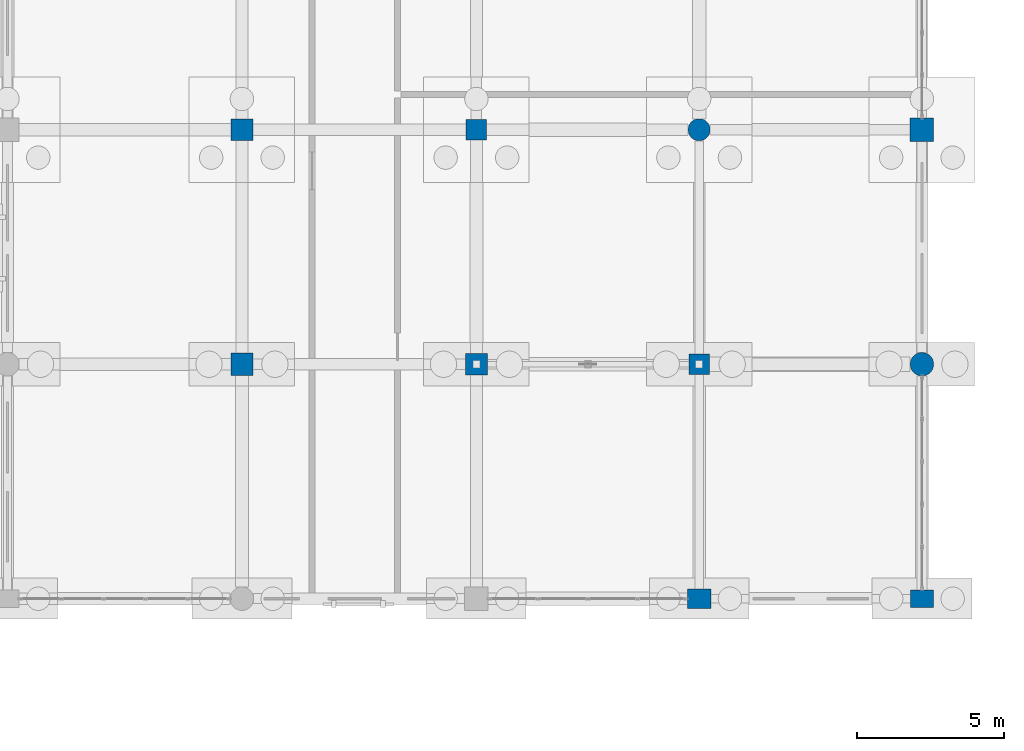
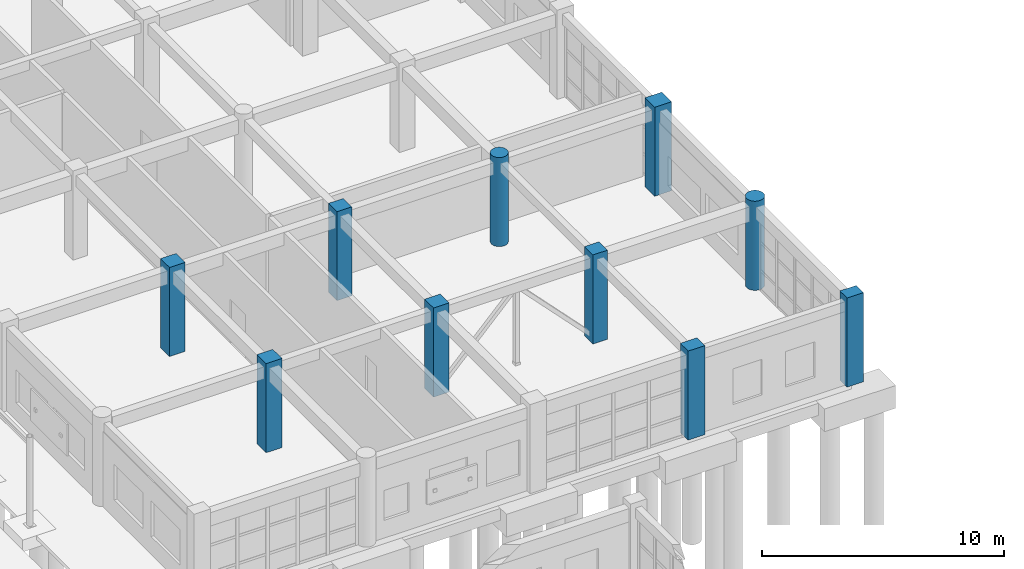
# One storey, part 43 of 166: 10 columns.
"""IFC4 building model written with IfcOpenShell, lengths in metres."""

from ifc_helpers import new_model, si_unit, direction, frame, origin, origin_2d, place, context, subcontext, project, spatial, rectangle, circle, extrude, material, material_profile, profile_set, type_object, element, save


model = new_model("IFC4")

# Units and contexts
model_context = context("Model", 3, precision=1e-05, world=origin(), true_north=direction((0.0, 1.0)))
body_context = subcontext(model_context, "Body", "Model", "MODEL_VIEW")
ifc_project = project(units=[si_unit("LENGTHUNIT", "METRE"), si_unit("AREAUNIT", "SQUARE_METRE"), si_unit("VOLUMEUNIT", "CUBIC_METRE"), si_unit("PLANEANGLEUNIT", "RADIAN"), si_unit("MASSUNIT", "GRAM", prefix="KILO")], contexts=[model_context])

# Site, building, storey
site_placement = place(None, origin())
site = spatial("IfcSite", under=ifc_project, at=site_placement, CompositionType="ELEMENT")
building_placement = place(site_placement, origin())
building = spatial("IfcBuilding", under=site, at=building_placement, Name="Kharva Crest Polytechnic", CompositionType="ELEMENT")
storey_placement = place(building_placement, origin())
storey = spatial("IfcBuildingStorey", under=building, at=storey_placement, Name="L00", CompositionType="ELEMENT", Elevation=0.0)

# Columns
ifc_material = material(Name="Concrete C40/50", Category="concrete")
ifc_material_profile_1 = material_profile(ifc_material, rectangle(XDim=0.780029296875, YDim=0.60009765625, at=origin_2d()), Name="RECT 780 X 600")
ifc_profile_set_1 = profile_set([ifc_material_profile_1], Name="Concrete C40/50")
column_type_1 = type_object("IfcColumnType", Name="COL-EXT-780X600", PredefinedType="COLUMN", material=ifc_profile_set_1)
column_1_placement = place(storey_placement, frame((184.0, 38.800048828125, 0.0), z_axis=(0.0, 0.0, 1.0), x_axis=(1.0, 0.0, 0.0)))
element("IfcColumn", 1, at=column_1_placement, inside=storey, type_object=column_type_1, Name="L00 Column 24/FJ", PredefinedType="COLUMN", context=body_context, shape_type="SweptSolid", body=[
    extrude(rectangle(XDim=0.780029296875, YDim=0.60009765625, at=origin_2d()), origin(), (0.0, 0.0, 1.0), 4.5),
])
ifc_material_profile_2 = material_profile(ifc_material, rectangle(XDim=0.800048828125, YDim=0.64990234375, at=origin_2d()), Name="RECT 800 X 650")
ifc_profile_set_2 = profile_set([ifc_material_profile_2], Name="Concrete C40/50")
column_type_2 = type_object("IfcColumnType", Name="COL-EXT-800X650", PredefinedType="COLUMN", material=ifc_profile_set_2)
column_2_placement = place(storey_placement, frame((176.39990234375, 38.800048828125, 0.0), z_axis=(0.0, 0.0, 1.0), x_axis=(1.0, 0.0, 0.0)))
element("IfcColumn", 2, at=column_2_placement, inside=storey, type_object=column_type_2, Name="L00 Column 23/FJ", PredefinedType="COLUMN", context=body_context, shape_type="SweptSolid", body=[
    extrude(rectangle(XDim=0.800048828125, YDim=0.64990234375, at=origin_2d()), origin(), (0.0, 0.0, 1.0), 4.5),
])
ifc_material_profile_3 = material_profile(ifc_material, rectangle(XDim=0.800048828125, YDim=0.800048828125, at=origin_2d()), Name="RECT 800 X 800")
ifc_profile_set_3 = profile_set([ifc_material_profile_3], Name="Concrete C40/50")
column_type_3 = type_object("IfcColumnType", Name="COL-EXT-800X800", PredefinedType="COLUMN", material=ifc_profile_set_3)
column_3_placement = place(storey_placement, frame((184.0, 54.800048828125, 0.0), z_axis=(0.0, 0.0, 1.0), x_axis=(1.0, 0.0, 0.0)))
element("IfcColumn", 3, at=column_3_placement, inside=storey, type_object=column_type_3, Name="L00 Column 24/H", PredefinedType="COLUMN", context=body_context, shape_type="SweptSolid", body=[
    extrude(rectangle(XDim=0.800048828125, YDim=0.800048828125, at=origin_2d()), origin(), (0.0, 0.0, 1.0), 4.5),
])
ifc_material_profile_4 = material_profile(ifc_material, circle(Radius=0.39990234375, at=origin_2d()), Name="DIA 800")
ifc_profile_set_4 = profile_set([ifc_material_profile_4], Name="Concrete C40/50")
column_type_4 = type_object("IfcColumnType", Name="COL-EXT-DIA800", PredefinedType="COLUMN", material=ifc_profile_set_4)
column_4_placement = place(storey_placement, frame((184.0, 46.800048828125, 0.0), z_axis=(0.0, 0.0, 1.0), x_axis=(1.0, 0.0, 0.0)))
element("IfcColumn", 4, at=column_4_placement, inside=storey, type_object=column_type_4, Name="L00 Column 24/G", PredefinedType="COLUMN", context=body_context, shape_type="SweptSolid", body=[
    extrude(circle(Radius=0.39990234375, at=origin_2d()), origin(), (0.0, 0.0, 1.0), 4.5),
])
ifc_material_profile_5 = material_profile(ifc_material, rectangle(XDim=0.699951171875, YDim=0.699951171875, at=origin_2d()), Name="RECT 700 X 700")
ifc_profile_set_5 = profile_set([ifc_material_profile_5], Name="Concrete C40/50")
column_type_5 = type_object("IfcColumnType", Name="COL-INT-700X700", PredefinedType="COLUMN", material=ifc_profile_set_5)
for number, where, z_axis, x_axis, name in (
    (5, (168.800048828125, 54.800048828125, 0.0), (0.0, 0.0, 1.0), (1.0, 0.0, 0.0), "L00 Column 22/H"),
    (6, (176.39990234375, 46.800048828125, 0.0), (0.0, 0.0, 1.0), (1.0, 0.0, 0.0), "L00 Column 23/G"),
):
    element("IfcColumn", number, at=place(storey_placement, frame(where, z_axis=z_axis, x_axis=x_axis)), inside=storey, type_object=column_type_5, Name=name, PredefinedType="COLUMN", context=body_context, shape_type="SweptSolid", body=[
        extrude(rectangle(XDim=0.699951171875, YDim=0.699951171875, at=origin_2d()), origin(), (0.0, 0.0, 1.0), 4.5),
    ])
ifc_material_profile_6 = material_profile(ifc_material, rectangle(XDim=0.739990234375, YDim=0.739990234375, at=origin_2d()), Name="RECT 740 X 740")
ifc_profile_set_6 = profile_set([ifc_material_profile_6], Name="Concrete C40/50")
column_type_6 = type_object("IfcColumnType", Name="COL-INT-740X740", PredefinedType="COLUMN", material=ifc_profile_set_6)
for number, where, z_axis, x_axis, name in (
    (7, (160.800048828125, 54.800048828125, 0.0), (0.0, 0.0, 1.0), (1.0, 0.0, 0.0), "L00 Column 21/H"),
    (8, (168.800048828125, 46.800048828125, 0.0), (0.0, 0.0, 1.0), (1.0, 0.0, 0.0), "L00 Column 22/G"),
):
    element("IfcColumn", number, at=place(storey_placement, frame(where, z_axis=z_axis, x_axis=x_axis)), inside=storey, type_object=column_type_6, Name=name, PredefinedType="COLUMN", context=body_context, shape_type="SweptSolid", body=[
        extrude(rectangle(XDim=0.739990234375, YDim=0.739990234375, at=origin_2d()), origin(), (0.0, 0.0, 1.0), 4.5),
    ])
ifc_material_profile_7 = material_profile(ifc_material, rectangle(XDim=0.760009765625, YDim=0.760009765625, at=origin_2d()), Name="RECT 760 X 760")
ifc_profile_set_7 = profile_set([ifc_material_profile_7], Name="Concrete C40/50")
column_type_7 = type_object("IfcColumnType", Name="COL-INT-760X760", PredefinedType="COLUMN", material=ifc_profile_set_7)
column_5_placement = place(storey_placement, frame((160.800048828125, 46.800048828125, 0.0), z_axis=(0.0, 0.0, 1.0), x_axis=(1.0, 0.0, 0.0)))
element("IfcColumn", 9, at=column_5_placement, inside=storey, type_object=column_type_7, Name="L00 Column 21/G", PredefinedType="COLUMN", context=body_context, shape_type="SweptSolid", body=[
    extrude(rectangle(XDim=0.760009765625, YDim=0.760009765625, at=origin_2d()), origin(), (0.0, 0.0, 1.0), 4.5),
])
ifc_material_profile_8 = material_profile(ifc_material, circle(Radius=0.375, at=origin_2d()), Name="DIA 750")
ifc_profile_set_8 = profile_set([ifc_material_profile_8], Name="Concrete C40/50")
column_type_8 = type_object("IfcColumnType", Name="COL-INT-DIA750", PredefinedType="COLUMN", material=ifc_profile_set_8)
column_6_placement = place(storey_placement, frame((176.39990234375, 54.800048828125, 0.0), z_axis=(0.0, 0.0, 1.0), x_axis=(1.0, 0.0, 0.0)))
element("IfcColumn", 10, at=column_6_placement, inside=storey, type_object=column_type_8, Name="L00 Column 23/H", PredefinedType="COLUMN", context=body_context, shape_type="SweptSolid", body=[
    extrude(circle(Radius=0.375, at=origin_2d()), origin(), (0.0, 0.0, 1.0), 4.5),
])

save(model, "model.ifc")
